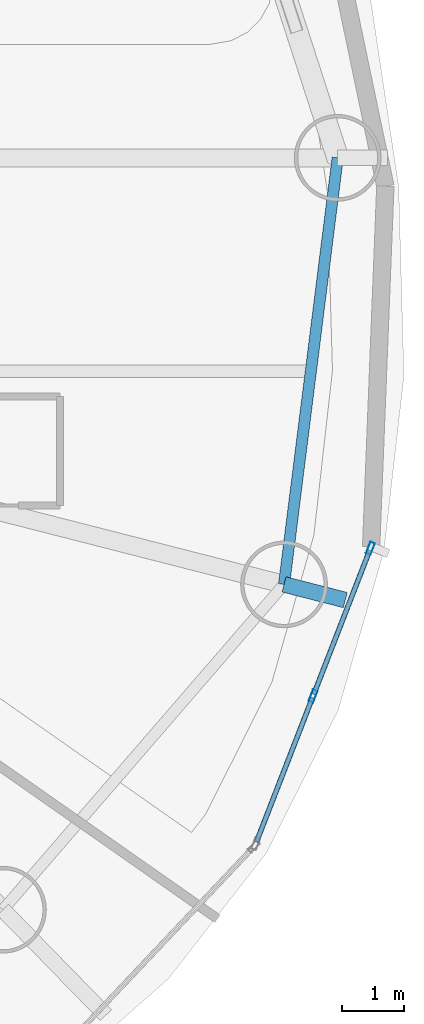
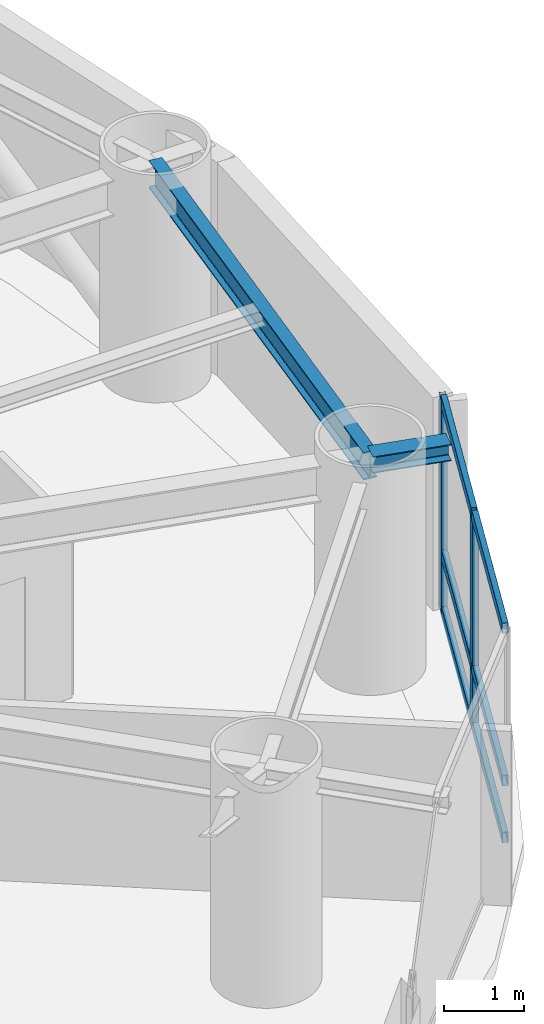
# One storey, part 11 of 23: 8 members, 2 beams, 1 element without a shape of its own.
"""IFC4 building model written with IfcOpenShell, lengths in metres."""

from ifc_helpers import new_model, si_unit, direction, frame, origin, origin_2d, place, context, subcontext, project, spatial, hollow_rectangle, i_section, extrude, material, layer, layer_set, material_profile, profile_set, type_object, element, aggregate, save


model = new_model("IFC4")

# Units and contexts
model_context = context("Model", 3, precision=1e-05, world=origin(), true_north=direction((0.0, 1.0)))
body_context = subcontext(model_context, "Body", "Model", "MODEL_VIEW")
ifc_project = project(units=[si_unit("LENGTHUNIT", "METRE"), si_unit("AREAUNIT", "SQUARE_METRE"), si_unit("VOLUMEUNIT", "CUBIC_METRE"), si_unit("PLANEANGLEUNIT", "RADIAN"), si_unit("MASSUNIT", "GRAM", prefix="KILO")], contexts=[model_context])

# Site, building, storey
site_placement = place(None, origin())
site = spatial("IfcSite", under=ifc_project, at=site_placement, CompositionType="ELEMENT")
building_placement = place(site_placement, origin())
building = spatial("IfcBuilding", under=site, at=building_placement, Name="Bramvorn Convention Spire", CompositionType="ELEMENT")
storey_placement = place(building_placement, frame((0.0, 0.0, 158.800048828125)))
storey = spatial("IfcBuildingStorey", under=building, at=storey_placement, Name="L40", CompositionType="ELEMENT", Elevation=158.800048828125)

# Beams
ifc_material_1 = material(Name="Steel CSA G40.21 Grade 350 (350W)", Category="steel")
ifc_material_profile_1 = material_profile(ifc_material_1, i_section(OverallWidth=0.25390625, OverallDepth=0.2529296875, WebThickness=0.008544921875, FlangeThickness=0.01416015625, FilletRadius=0.011962890625, at=origin_2d()))
ifc_profile_set_1 = profile_set([ifc_material_profile_1], Name="Steel CSA G40.21 Grade 350 (350W) - W250X73")
beam_type_1 = type_object("IfcBeamType", Name="BM-W250X73", PredefinedType="BEAM", material=ifc_profile_set_1)
beam_1_placement = place(storey_placement, frame((62.11767578125, 15.26220703125, 3.133544921875), z_axis=(0.968848115123, -0.247655667857, 0.0), x_axis=(0.247655667857, 0.968848115123, 0.0)))
element("IfcBeam", 1, at=beam_1_placement, inside=storey, type_object=beam_type_1, Name="L40 slab-edge cantilever tip beam MC01", PredefinedType="BEAM", context=body_context, shape_type="SweptSolid", body=[
    extrude(i_section(OverallWidth=0.25390625, OverallDepth=0.2529296875, WebThickness=0.008544921875, FlangeThickness=0.01416015625, FilletRadius=0.011962890625, at=origin_2d()), origin(), (0.0, 0.0, 1.0), 1.020263671875),
])
ifc_material_profile_2 = material_profile(ifc_material_1, i_section(OverallWidth=0.180908203125, OverallDepth=0.4169921875, WebThickness=0.010986328125, FlangeThickness=0.018310546875, FilletRadius=0.01611328125, at=origin_2d()))
ifc_profile_set_2 = profile_set([ifc_material_profile_2], Name="Steel CSA G40.21 Grade 350 (350W) - W410X85")
beam_type_2 = type_object("IfcBeamType", Name="BM-W410X85", PredefinedType="JOIST", material=ifc_profile_set_2)
beam_2_placement = place(storey_placement, frame((62.11767578125, 15.26220703125, 3.051513671875), z_axis=(0.124775053879, 0.992185056292, 0.0), x_axis=(-0.992185056292, 0.124775053879, 0.0)))
element("IfcBeam", 2, at=beam_2_placement, inside=storey, type_object=beam_type_2, Name="L40 mega-column ring beam 01", PredefinedType="JOIST", context=body_context, shape_type="SweptSolid", body=[
    extrude(i_section(OverallWidth=0.180908203125, OverallDepth=0.4169921875, WebThickness=0.010986328125, FlangeThickness=0.018310546875, FilletRadius=0.01611328125, at=origin_2d()), origin(), (0.0, 0.0, 1.0), 6.940185546875),
])

# Curtain wall, members
ifc_material_2 = material(Name="Anodised Bronze Unitised Curtain Wall", Category="aluminium")
ifc_layer = layer(ifc_material_2, 0.179931640625)
ifc_layer_set = layer_set([ifc_layer], Name="Anodised Bronze Unitised Curtain Wall - CW-HTL-FRIT")
curtain_wall_type = type_object("IfcCurtainWallType", Name="CW-HTL-FRIT", PredefinedType="USERDEFINED", material=ifc_layer_set)
curtain_wall_placement = place(storey_placement, origin())
curtain_wall = element("IfcCurtainWall", 3, at=curtain_wall_placement, inside=storey, type_object=curtain_wall_type, Name="L40 fritted glass curtain wall 01", ObjectType="UNITISED CURTAIN WALL", PredefinedType="USERDEFINED")
ifc_material_3 = material(Name="Anodised Bronze Aluminium 6063-T6", Category="aluminium")
ifc_material_profile_3 = material_profile(ifc_material_3, hollow_rectangle(XDim=0.080078125, YDim=0.199951171875, WallThickness=0.00390625, InnerFilletRadius=0.0009765625, OuterFilletRadius=0.00390625, at=origin_2d()))
ifc_profile_set_3 = profile_set([ifc_material_profile_3], Name="Anodised Bronze Aluminium 6063-T6 - CWM80X200")
member_type_1 = type_object("IfcMemberType", Name="CW-MUL-180", PredefinedType="MULLION", material=ifc_profile_set_3)
member_1_placement = place(storey_placement, frame((63.512451171875, 15.84423828125, 0.0), z_axis=(0.0, 0.0, 1.0), x_axis=(0.932187708761, -0.361975241742, 0.0)))
member_1 = element("IfcMember", 4, at=member_1_placement, type_object=member_type_1, Name="CW2 mullion 1", PredefinedType="MULLION", context=body_context, shape_type="SweptSolid", body=[
    extrude(hollow_rectangle(XDim=0.080078125, YDim=0.199951171875, WallThickness=0.00390625, InnerFilletRadius=0.0009765625, OuterFilletRadius=0.00390625, at=origin_2d()), origin(), (0.0, 0.0, 1.0), 3.260009765625),
])
member_2_placement = place(storey_placement, frame((62.5869140625, 13.46044921875, 0.0), z_axis=(0.0, 0.0, 1.0), x_axis=(0.932187708761, -0.361975241742, 0.0)))
member_2 = element("IfcMember", 5, at=member_2_placement, type_object=member_type_1, Name="CW2 mullion 2", PredefinedType="MULLION", context=body_context, shape_type="SweptSolid", body=[
    extrude(hollow_rectangle(XDim=0.080078125, YDim=0.199951171875, WallThickness=0.00390625, InnerFilletRadius=0.0009765625, OuterFilletRadius=0.00390625, at=origin_2d()), origin(), (0.0, 0.0, 1.0), 3.260009765625),
])
ifc_material_profile_4 = material_profile(ifc_material_3, hollow_rectangle(XDim=0.080078125, YDim=0.159912109375, WallThickness=0.00390625, InnerFilletRadius=0.0009765625, OuterFilletRadius=0.00390625, at=origin_2d()))
ifc_profile_set_4 = profile_set([ifc_material_profile_4], Name="Anodised Bronze Aluminium 6063-T6 - CWT80X160")
member_type_2 = type_object("IfcMemberType", Name="CW-TRN-150", PredefinedType="USERDEFINED", material=ifc_profile_set_4)
member_3_placement = place(storey_placement, frame((63.501708984375, 15.81640625, 0.030029296875), z_axis=(-0.362016903608, -0.932171530085, 0.0), x_axis=(0.932171530085, -0.362016903608, 0.0)))
member_3 = element("IfcMember", 6, at=member_3_placement, type_object=member_type_2, Name="CW2 transom 1.1", ObjectType="TRANSOM", PredefinedType="USERDEFINED", context=body_context, shape_type="SweptSolid", body=[
    extrude(hollow_rectangle(XDim=0.080078125, YDim=0.159912109375, WallThickness=0.00390625, InnerFilletRadius=0.0009765625, OuterFilletRadius=0.00390625, at=origin_2d()), origin(), (0.0, 0.0, 1.0), 2.497314453125),
])
member_4_placement = place(storey_placement, frame((63.501708984375, 15.81640625, 0.89990234375), z_axis=(-0.362016903608, -0.932171530085, 0.0), x_axis=(0.932171530085, -0.362016903608, 0.0)))
member_4 = element("IfcMember", 7, at=member_4_placement, type_object=member_type_2, Name="CW2 transom 1.2", ObjectType="TRANSOM", PredefinedType="USERDEFINED", context=body_context, shape_type="SweptSolid", body=[
    extrude(hollow_rectangle(XDim=0.080078125, YDim=0.159912109375, WallThickness=0.00390625, InnerFilletRadius=0.0009765625, OuterFilletRadius=0.00390625, at=origin_2d()), origin(), (0.0, 0.0, 1.0), 2.497314453125),
])
member_5_placement = place(storey_placement, frame((63.501708984375, 15.81640625, 3.22998046875), z_axis=(-0.362016903608, -0.932171530085, 0.0), x_axis=(0.932171530085, -0.362016903608, 0.0)))
member_5 = element("IfcMember", 8, at=member_5_placement, type_object=member_type_2, Name="CW2 transom 1.3", ObjectType="TRANSOM", PredefinedType="USERDEFINED", context=body_context, shape_type="SweptSolid", body=[
    extrude(hollow_rectangle(XDim=0.080078125, YDim=0.159912109375, WallThickness=0.00390625, InnerFilletRadius=0.0009765625, OuterFilletRadius=0.00390625, at=origin_2d()), origin(), (0.0, 0.0, 1.0), 2.497314453125),
])
member_6_placement = place(storey_placement, frame((62.575927734375, 13.4326171875, 0.030029296875), z_axis=(-0.361931948429, -0.932204518712, 0.0), x_axis=(0.932204518712, -0.361931948429, 0.0)))
member_6 = element("IfcMember", 9, at=member_6_placement, type_object=member_type_2, Name="CW2 transom 2.1", ObjectType="TRANSOM", PredefinedType="USERDEFINED", context=body_context, shape_type="SweptSolid", body=[
    extrude(hollow_rectangle(XDim=0.080078125, YDim=0.159912109375, WallThickness=0.00390625, InnerFilletRadius=0.0009765625, OuterFilletRadius=0.00390625, at=origin_2d()), origin(), (0.0, 0.0, 1.0), 2.4970703125),
])
member_7_placement = place(storey_placement, frame((62.575927734375, 13.4326171875, 0.89990234375), z_axis=(-0.361931948429, -0.932204518712, 0.0), x_axis=(0.932204518712, -0.361931948429, 0.0)))
member_7 = element("IfcMember", 10, at=member_7_placement, type_object=member_type_2, Name="CW2 transom 2.2", ObjectType="TRANSOM", PredefinedType="USERDEFINED", context=body_context, shape_type="SweptSolid", body=[
    extrude(hollow_rectangle(XDim=0.080078125, YDim=0.159912109375, WallThickness=0.00390625, InnerFilletRadius=0.0009765625, OuterFilletRadius=0.00390625, at=origin_2d()), origin(), (0.0, 0.0, 1.0), 2.4970703125),
])
member_8_placement = place(storey_placement, frame((62.575927734375, 13.4326171875, 3.22998046875), z_axis=(-0.361931948429, -0.932204518712, 0.0), x_axis=(0.932204518712, -0.361931948429, 0.0)))
member_8 = element("IfcMember", 11, at=member_8_placement, type_object=member_type_2, Name="CW2 transom 2.3", ObjectType="TRANSOM", PredefinedType="USERDEFINED", context=body_context, shape_type="SweptSolid", body=[
    extrude(hollow_rectangle(XDim=0.080078125, YDim=0.159912109375, WallThickness=0.00390625, InnerFilletRadius=0.0009765625, OuterFilletRadius=0.00390625, at=origin_2d()), origin(), (0.0, 0.0, 1.0), 2.4970703125),
])
aggregate(curtain_wall, [member_1, member_2, member_3, member_4, member_5, member_6, member_7, member_8])

save(model, "model.ifc")
